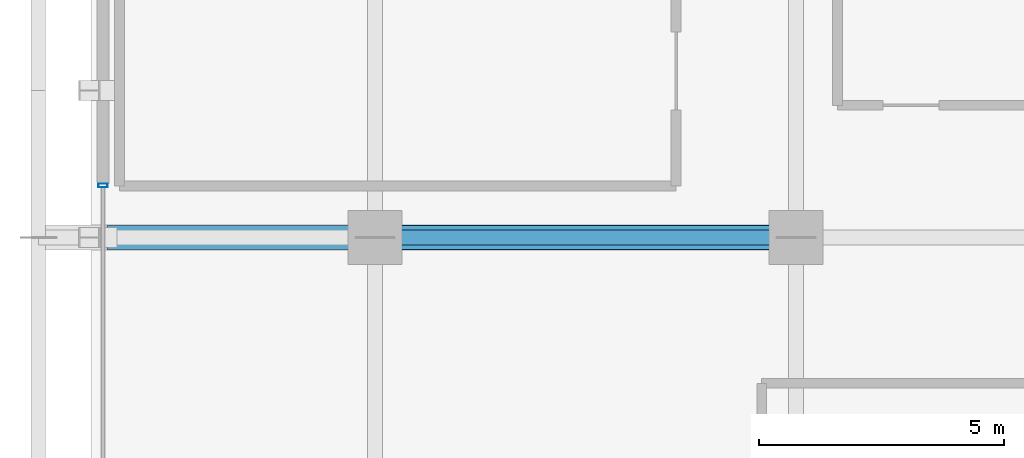
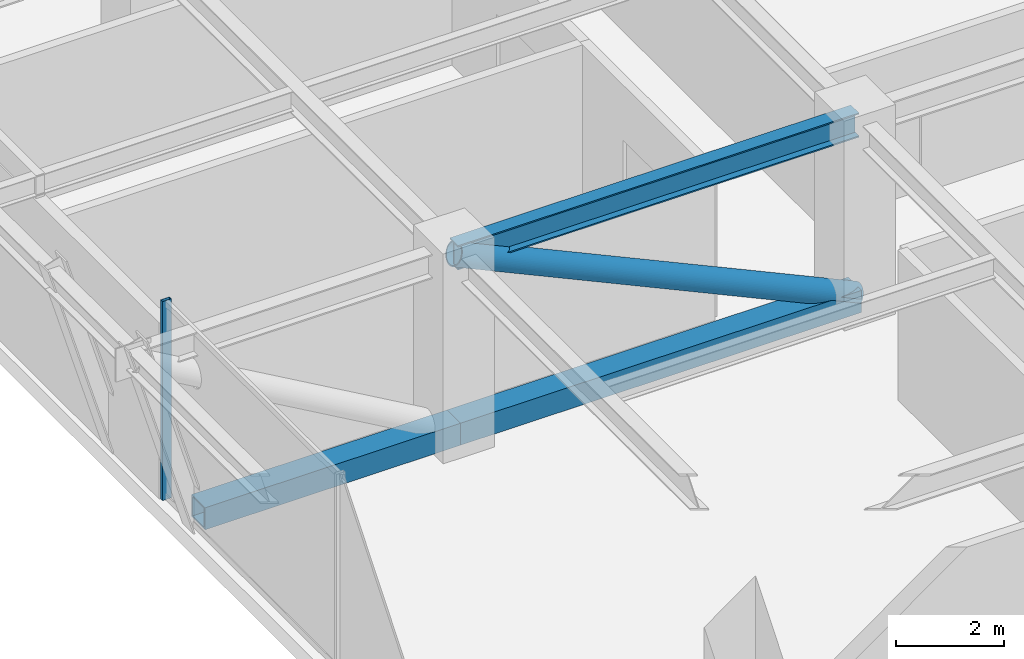
# One storey, part 4 of 16: 4 members, 1 beam, 1 element without a shape of its own.
"""IFC4 building model written with IfcOpenShell, lengths in metres."""

from ifc_helpers import new_model, si_unit, direction, frame, origin, origin_2d, place, context, subcontext, project, spatial, hollow_rectangle, hollow_circle, i_section, extrude, source, transform, mapped, material, material_profile, profile_set, type_object, element, aggregate, save


model = new_model("IFC4")

# Units and contexts
model_context = context("Model", 3, precision=1e-05, world=origin(), true_north=direction((0.0, 1.0)))
body_context = subcontext(model_context, "Body", "Model", "MODEL_VIEW")
ifc_project = project(units=[si_unit("LENGTHUNIT", "METRE"), si_unit("AREAUNIT", "SQUARE_METRE"), si_unit("VOLUMEUNIT", "CUBIC_METRE"), si_unit("PLANEANGLEUNIT", "RADIAN"), si_unit("MASSUNIT", "GRAM", prefix="KILO")], contexts=[model_context])

# Site, building, storey
site_placement = place(None, origin())
site = spatial("IfcSite", under=ifc_project, at=site_placement, CompositionType="ELEMENT")
building_placement = place(site_placement, origin())
building = spatial("IfcBuilding", under=site, at=building_placement, Name="Nahalor Promenade Grand Hotel", CompositionType="ELEMENT")
storey_placement = place(building_placement, frame((0.0, 0.0, 200.10009765625)))
storey = spatial("IfcBuildingStorey", under=building, at=storey_placement, Name="L51", CompositionType="ELEMENT", Elevation=200.10009765625)

# Beam
ifc_material_1 = material(Name="Steel S355JR", Category="steel")
ifc_material_profile_1 = material_profile(ifc_material_1, i_section(OverallWidth=0.3, OverallDepth=0.55, WebThickness=0.015, FlangeThickness=0.029, at=origin_2d()), Name="HEB 550")
ifc_profile_set_1 = profile_set([ifc_material_profile_1], Name="Steel S355JR")
beam_type = type_object("IfcBeamType", Name="Beam-Girder-HEB550", PredefinedType="BEAM", material=ifc_profile_set_1)
shared_shape_1 = source(origin(), body_context, "Body", "SweptSolid", [
    extrude(i_section(OverallWidth=0.3, OverallDepth=0.55, WebThickness=0.015, FlangeThickness=0.029, at=origin_2d()), origin(), (0.0, 0.0, 1.0), 8.60009765625),
])
beam_placement = place(storey_placement, frame((-17.0, 5.39990234375, 4.23486328125), z_axis=(1.0, 0.0, 0.0), x_axis=(0.0, 1.0, 0.0)))
element("IfcBeam", 1, at=beam_placement, inside=storey, type_object=beam_type, Name="BM-L51-GX-2-1", PredefinedType="BEAM", context=body_context, shape_type="MappedRepresentation", body=[
    mapped(shared_shape_1, transform((0.0, 0.0, 0.0), scale=1.0)),
])

# Members
ifc_material_2 = material(Name="Steel S355J2", Category="steel")
ifc_material_profile_2 = material_profile(ifc_material_2, hollow_rectangle(XDim=0.5, YDim=0.5, WallThickness=0.032, at=origin_2d()), Name="SHS 500x500x32")
ifc_profile_set_2 = profile_set([ifc_material_profile_2], Name="Steel S355J2")
member_type_1 = type_object("IfcMemberType", Name="Mem-Chord-SHS500", PredefinedType="CHORD", material=ifc_profile_set_2)
shared_shape_2 = source(origin(), body_context, "Body", "SweptSolid", [
    extrude(hollow_rectangle(XDim=0.5, YDim=0.5, WallThickness=0.032, at=origin_2d()), origin(), (0.0, 0.0, 1.0), 8.60009765625),
])
member_1_placement = place(storey_placement, frame((-8.39990234375, 5.39990234375, 0.2998046875), z_axis=(-1.0, 0.0, 0.0), x_axis=(0.0, -1.0, 0.0)))
element("IfcMember", 2, at=member_1_placement, inside=storey, type_object=member_type_1, Name="OU-L51-W2-C1", PredefinedType="CHORD", context=body_context, shape_type="MappedRepresentation", body=[
    mapped(shared_shape_2, transform((0.0, 0.0, 0.0), scale=1.0)),
])
ifc_material_profile_3 = material_profile(ifc_material_2, hollow_circle(Radius=0.254, WallThickness=0.025, at=origin_2d()), Name="CHS 508x25")
ifc_profile_set_3 = profile_set([ifc_material_profile_3], Name="Steel S355J2")
member_type_2 = type_object("IfcMemberType", Name="Mem-OutDiag-CHS508", PredefinedType="BRACE", material=ifc_profile_set_3)
shared_shape_3 = source(origin(), body_context, "Body", "SweptSolid", [
    extrude(hollow_circle(Radius=0.254, WallThickness=0.025, at=origin_2d()), origin(), (0.0, 0.0, 1.0), 9.4638671875),
])
member_2_placement = place(storey_placement, frame((-8.39990234375, 5.39990234375, 0.2998046875), z_axis=(-0.908724977793, 0.0, 0.417395393763), x_axis=(0.0, -1.0, 0.0)))
element("IfcMember", 3, at=member_2_placement, inside=storey, type_object=member_type_2, Name="OU-L51-W2-D1", PredefinedType="BRACE", context=body_context, shape_type="MappedRepresentation", body=[
    mapped(shared_shape_3, transform((0.0, 0.0, 0.0), scale=1.0)),
])
shared_shape_4 = source(origin(), body_context, "Body", "SweptSolid", [
    extrude(hollow_rectangle(XDim=0.5, YDim=0.5, WallThickness=0.032, at=origin_2d()), origin(), (0.0, 0.0, 1.0), 5.47998046875),
])
member_3_placement = place(storey_placement, frame((-17.0, 5.39990234375, 0.2998046875), z_axis=(-1.0, 0.0, 0.0), x_axis=(0.0, -1.0, 0.0)))
element("IfcMember", 4, at=member_3_placement, inside=storey, type_object=member_type_1, Name="OU-L51-W2-C2", PredefinedType="CHORD", context=body_context, shape_type="MappedRepresentation", body=[
    mapped(shared_shape_4, transform((0.0, 0.0, 0.0), scale=1.0)),
])

# Curtain wall, member
ifc_material_3 = material(Name="Anodised Bronze Aluminium EN AW-6063 T6", Category="aluminium")
curtain_wall_type = type_object("IfcCurtainWallType", Name="CW6 Crown Botanical Conservatory Curtain Wall", PredefinedType="USERDEFINED", material=ifc_material_3)
curtain_wall_placement = place(storey_placement, origin())
curtain_wall = element("IfcCurtainWall", 5, at=curtain_wall_placement, inside=storey, type_object=curtain_wall_type, Name="L51 Curtain Wall CW-L51-W", ObjectType="UNITISED_CURTAIN_WALL", PredefinedType="USERDEFINED")
ifc_material_profile_4 = material_profile(ifc_material_3, hollow_rectangle(XDim=0.075, YDim=0.19, WallThickness=0.005, at=origin_2d()), Name="CWM 75x190x5")
ifc_profile_set_4 = profile_set([ifc_material_profile_4], Name="Anodised Bronze Aluminium EN AW-6063 T6")
member_type_3 = type_object("IfcMemberType", Name="CWM6 Conservatory Bronze Mullion 75x190", PredefinedType="MULLION", material=ifc_profile_set_4)
shared_shape_5 = source(origin(), body_context, "Body", "SweptSolid", [
    extrude(hollow_rectangle(XDim=0.075, YDim=0.19, WallThickness=0.005, at=origin_2d()), origin(), (0.0, 0.0, 1.0), 4.510009765625),
])
member_4_placement = place(storey_placement, frame((-22.56005859375, 6.46240234375, 0.0), z_axis=(0.0, 0.0, 1.0), x_axis=(0.0, 1.0, 0.0)))
member_4 = element("IfcMember", 6, at=member_4_placement, type_object=member_type_3, Name="CW-L51-W Mullion 2", PredefinedType="MULLION", context=body_context, shape_type="MappedRepresentation", body=[
    mapped(shared_shape_5, transform((0.0, 0.0, 0.0), scale=1.0)),
])
aggregate(curtain_wall, [member_4])

save(model, "model.ifc")
